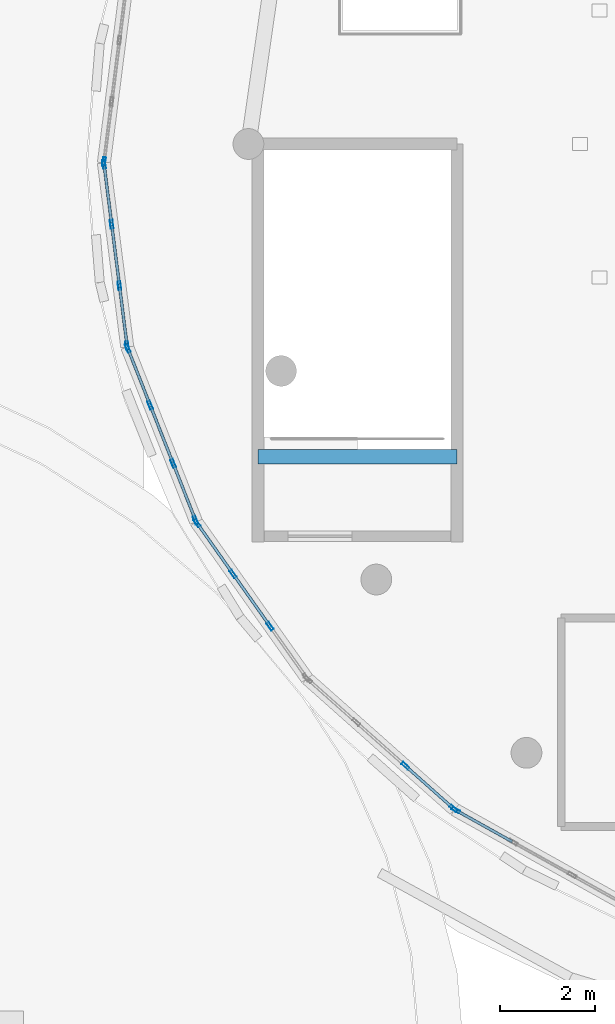
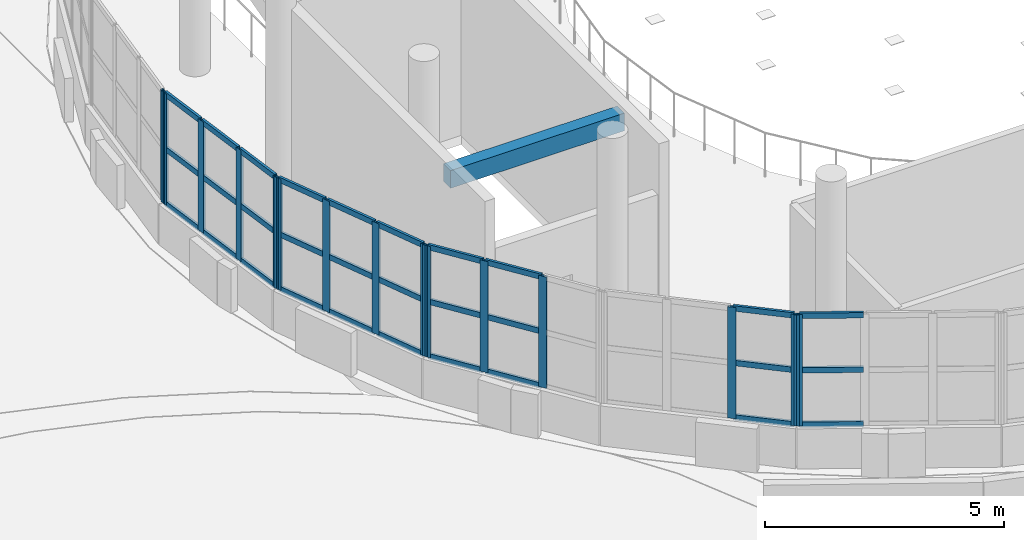
# One storey, part 5 of 105: 45 members, 1 beam, 6 elements without a shape of their own.
"""IFC4 building model written with IfcOpenShell, lengths in metres."""

from ifc_helpers import new_model, si_unit, direction, frame, origin, origin_2d, place, context, subcontext, project, spatial, rectangle, hollow_rectangle, extrude, material, layer, layer_set, material_profile, profile_set, type_object, element, aggregate, save


model = new_model("IFC4")

# Units and contexts
model_context = context("Model", 3, precision=1e-05, world=origin(), true_north=direction((0.0, 1.0)))
body_context = subcontext(model_context, "Body", "Model", "MODEL_VIEW")
ifc_project = project(units=[si_unit("LENGTHUNIT", "METRE"), si_unit("AREAUNIT", "SQUARE_METRE"), si_unit("VOLUMEUNIT", "CUBIC_METRE"), si_unit("PLANEANGLEUNIT", "RADIAN"), si_unit("MASSUNIT", "GRAM", prefix="KILO")], contexts=[model_context])

# Site, building, storey
site_placement = place(None, origin())
site = spatial("IfcSite", under=ifc_project, at=site_placement, CompositionType="ELEMENT")
building_placement = place(site_placement, origin())
building = spatial("IfcBuilding", under=site, at=building_placement, Name="Pelvatis Terrace Science Centre", CompositionType="ELEMENT")
storey_placement = place(building_placement, frame((0.0, 0.0, 10.199951171875)))
storey = spatial("IfcBuildingStorey", under=building, at=storey_placement, Name="L02", CompositionType="ELEMENT", Elevation=10.199951171875)

# Beam
ifc_material_1 = material(Name="Concrete C35/45", Category="concrete")
ifc_material_profile_1 = material_profile(ifc_material_1, rectangle(XDim=0.300048828125, YDim=0.449951171875, at=origin_2d()), Name="RC-BM 300x450")
ifc_profile_set_1 = profile_set([ifc_material_profile_1], Name="Concrete C35/45")
beam_type = type_object("IfcBeamType", Name="BM-RC-300x450", PredefinedType="BEAM", material=ifc_profile_set_1)
beam_placement = place(storey_placement, frame((61.199951171875, 48.0, 4.320068359375), z_axis=(1.0, 0.0, 0.0), x_axis=(0.0, 1.0, 0.0)))
element("IfcBeam", 1, at=beam_placement, inside=storey, type_object=beam_type, Name="Stair ST-05 header beam (L02)", PredefinedType="BEAM", context=body_context, shape_type="SweptSolid", body=[
    extrude(rectangle(XDim=0.300048828125, YDim=0.449951171875, at=origin_2d()), origin(), (0.0, 0.0, 1.0), 4.199951171875),
])

# Curtain wall, member
ifc_material_2 = material(Name="Bronze-anodised aluminium and laminated glass", Category="aluminium")
ifc_layer = layer(ifc_material_2, 0.179931640625)
ifc_layer_set = layer_set([ifc_layer], Name="Bronze-anodised aluminium and laminated glass")
curtain_wall_type = type_object("IfcCurtainWallType", Name="CW-RIBBON-A", PredefinedType="NOTDEFINED", material=ifc_layer_set)
curtain_wall_1_placement = place(storey_placement, origin())
curtain_wall_1 = element("IfcCurtainWall", 2, at=curtain_wall_1_placement, inside=storey, type_object=curtain_wall_type, Name="Ribbon curtain wall CW-086 (L02)", PredefinedType="NOTDEFINED")
ifc_material_3 = material(Name="Bronze-anodised aluminium 6063-T6", Category="aluminium")
ifc_material_profile_2 = material_profile(ifc_material_3, hollow_rectangle(XDim=0.06005859375, YDim=0.179931640625, WallThickness=0.00390625, at=origin_2d()), Name="ALU-MUL 60x180")
ifc_profile_set_2 = profile_set([ifc_material_profile_2], Name="Bronze-anodised aluminium 6063-T6")
member_type_1 = type_object("IfcMemberType", Name="CWM-60x180", PredefinedType="MULLION", material=ifc_profile_set_2)
member_1_placement = place(storey_placement, frame((57.953857421875, 54.229736328125, 1.02001953125), z_axis=(0.0, 0.0, 1.0), x_axis=(0.992045836863, -0.125877152665, 0.0)))
member_1 = element("IfcMember", 3, at=member_1_placement, type_object=member_type_1, Name="CW-086 mullion 4", PredefinedType="MULLION", context=body_context, shape_type="SweptSolid", body=[
    extrude(hollow_rectangle(XDim=0.06005859375, YDim=0.179931640625, WallThickness=0.00390625, at=origin_2d()), origin(), (0.0, 0.0, 1.0), 2.840087890625),
])
aggregate(curtain_wall_1, [member_1])

# Curtain wall, members
curtain_wall_2_placement = place(storey_placement, origin())
curtain_wall_2 = element("IfcCurtainWall", 4, at=curtain_wall_2_placement, inside=storey, type_object=curtain_wall_type, Name="Ribbon curtain wall CW-087 (L02)", PredefinedType="NOTDEFINED")
member_2_placement = place(storey_placement, frame((57.953857421875, 54.170166015625, 1.02001953125), z_axis=(0.0, 0.0, 1.0), x_axis=(0.992045836863, 0.125877152665, 0.0)))
member_2 = element("IfcMember", 5, at=member_2_placement, type_object=member_type_1, Name="CW-087 mullion 1", PredefinedType="MULLION", context=body_context, shape_type="SweptSolid", body=[
    extrude(hollow_rectangle(XDim=0.06005859375, YDim=0.179931640625, WallThickness=0.00390625, at=origin_2d()), origin(), (0.0, 0.0, 1.0), 2.840087890625),
])
member_3_placement = place(storey_placement, frame((58.1142578125, 52.90576171875, 1.02001953125), z_axis=(0.0, 0.0, 1.0), x_axis=(0.992045836863, 0.125877152665, 0.0)))
member_3 = element("IfcMember", 6, at=member_3_placement, type_object=member_type_1, Name="CW-087 mullion 2", PredefinedType="MULLION", context=body_context, shape_type="SweptSolid", body=[
    extrude(hollow_rectangle(XDim=0.06005859375, YDim=0.179931640625, WallThickness=0.00390625, at=origin_2d()), origin(), (0.0, 0.0, 1.0), 2.840087890625),
])
member_4_placement = place(storey_placement, frame((58.278564453125, 51.611328125, 1.02001953125), z_axis=(0.0, 0.0, 1.0), x_axis=(0.992045836863, 0.125877152665, 0.0)))
member_4 = element("IfcMember", 7, at=member_4_placement, type_object=member_type_1, Name="CW-087 mullion 3", PredefinedType="MULLION", context=body_context, shape_type="SweptSolid", body=[
    extrude(hollow_rectangle(XDim=0.06005859375, YDim=0.179931640625, WallThickness=0.00390625, at=origin_2d()), origin(), (0.0, 0.0, 1.0), 2.840087890625),
])
member_5_placement = place(storey_placement, frame((58.43896484375, 50.3466796875, 1.02001953125), z_axis=(0.0, 0.0, 1.0), x_axis=(0.992045836863, 0.125877152665, 0.0)))
member_5 = element("IfcMember", 8, at=member_5_placement, type_object=member_type_1, Name="CW-087 mullion 4", PredefinedType="MULLION", context=body_context, shape_type="SweptSolid", body=[
    extrude(hollow_rectangle(XDim=0.06005859375, YDim=0.179931640625, WallThickness=0.00390625, at=origin_2d()), origin(), (0.0, 0.0, 1.0), 2.840087890625),
])

curtain_wall_3_placement = place(storey_placement, origin())
curtain_wall_3 = element("IfcCurtainWall", 9, at=curtain_wall_3_placement, inside=storey, type_object=curtain_wall_type, Name="Ribbon curtain wall CW-088 (L02)", PredefinedType="NOTDEFINED")
member_6_placement = place(storey_placement, frame((58.45361328125, 50.2890625, 1.02001953125), z_axis=(0.0, 0.0, 1.0), x_axis=(0.930379715899, 0.366597305287, 0.0)))
member_6 = element("IfcMember", 10, at=member_6_placement, type_object=member_type_1, Name="CW-088 mullion 1", PredefinedType="MULLION", context=body_context, shape_type="SweptSolid", body=[
    extrude(hollow_rectangle(XDim=0.06005859375, YDim=0.179931640625, WallThickness=0.00390625, at=origin_2d()), origin(), (0.0, 0.0, 1.0), 2.840087890625),
])
member_7_placement = place(storey_placement, frame((58.92724609375, 49.087646484375, 1.02001953125), z_axis=(0.0, 0.0, 1.0), x_axis=(0.930379715899, 0.366597305287, 0.0)))
member_7 = element("IfcMember", 11, at=member_7_placement, type_object=member_type_1, Name="CW-088 mullion 2", PredefinedType="MULLION", context=body_context, shape_type="SweptSolid", body=[
    extrude(hollow_rectangle(XDim=0.06005859375, YDim=0.179931640625, WallThickness=0.00390625, at=origin_2d()), origin(), (0.0, 0.0, 1.0), 2.840087890625),
])
member_8_placement = place(storey_placement, frame((59.41162109375, 47.858154296875, 1.02001953125), z_axis=(0.0, 0.0, 1.0), x_axis=(0.930379715899, 0.366597305287, 0.0)))
member_8 = element("IfcMember", 12, at=member_8_placement, type_object=member_type_1, Name="CW-088 mullion 3", PredefinedType="MULLION", context=body_context, shape_type="SweptSolid", body=[
    extrude(hollow_rectangle(XDim=0.06005859375, YDim=0.179931640625, WallThickness=0.00390625, at=origin_2d()), origin(), (0.0, 0.0, 1.0), 2.840087890625),
])
member_9_placement = place(storey_placement, frame((59.885009765625, 46.656494140625, 1.02001953125), z_axis=(0.0, 0.0, 1.0), x_axis=(0.930379715899, 0.366597305287, 0.0)))
member_9 = element("IfcMember", 13, at=member_9_placement, type_object=member_type_1, Name="CW-088 mullion 4", PredefinedType="MULLION", context=body_context, shape_type="SweptSolid", body=[
    extrude(hollow_rectangle(XDim=0.06005859375, YDim=0.179931640625, WallThickness=0.00390625, at=origin_2d()), origin(), (0.0, 0.0, 1.0), 2.840087890625),
])

curtain_wall_4_placement = place(storey_placement, origin())
curtain_wall_4 = element("IfcCurtainWall", 14, at=curtain_wall_4_placement, inside=storey, type_object=curtain_wall_type, Name="Ribbon curtain wall CW-089 (L02)", PredefinedType="NOTDEFINED")
member_10_placement = place(storey_placement, frame((59.913330078125, 46.604248046875, 1.02001953125), z_axis=(0.0, 0.0, 1.0), x_axis=(0.8163259778, 0.57759146286, 0.0)))
member_10 = element("IfcMember", 15, at=member_10_placement, type_object=member_type_1, Name="CW-089 mullion 1", PredefinedType="MULLION", context=body_context, shape_type="SweptSolid", body=[
    extrude(hollow_rectangle(XDim=0.06005859375, YDim=0.179931640625, WallThickness=0.00390625, at=origin_2d()), origin(), (0.0, 0.0, 1.0), 2.840087890625),
])
member_11_placement = place(storey_placement, frame((60.67626953125, 45.52587890625, 1.02001953125), z_axis=(0.0, 0.0, 1.0), x_axis=(0.8163259778, 0.57759146286, 0.0)))
member_11 = element("IfcMember", 16, at=member_11_placement, type_object=member_type_1, Name="CW-089 mullion 2", PredefinedType="MULLION", context=body_context, shape_type="SweptSolid", body=[
    extrude(hollow_rectangle(XDim=0.06005859375, YDim=0.179931640625, WallThickness=0.00390625, at=origin_2d()), origin(), (0.0, 0.0, 1.0), 2.840087890625),
])
member_12_placement = place(storey_placement, frame((61.456787109375, 44.4228515625, 1.02001953125), z_axis=(0.0, 0.0, 1.0), x_axis=(0.8163259778, 0.57759146286, 0.0)))
member_12 = element("IfcMember", 17, at=member_12_placement, type_object=member_type_1, Name="CW-089 mullion 3", PredefinedType="MULLION", context=body_context, shape_type="SweptSolid", body=[
    extrude(hollow_rectangle(XDim=0.06005859375, YDim=0.179931640625, WallThickness=0.00390625, at=origin_2d()), origin(), (0.0, 0.0, 1.0), 2.840087890625),
])

curtain_wall_5_placement = place(storey_placement, origin())
curtain_wall_5 = element("IfcCurtainWall", 18, at=curtain_wall_5_placement, inside=storey, type_object=curtain_wall_type, Name="Ribbon curtain wall CW-090 (L02)", PredefinedType="NOTDEFINED")
member_13_placement = place(storey_placement, frame((64.311279296875, 41.47802734375, 1.02001953125), z_axis=(0.0, 0.0, 1.0), x_axis=(0.664016220834, 0.747718167808, 0.0)))
member_13 = element("IfcMember", 19, at=member_13_placement, type_object=member_type_1, Name="CW-090 mullion 3", PredefinedType="MULLION", context=body_context, shape_type="SweptSolid", body=[
    extrude(hollow_rectangle(XDim=0.06005859375, YDim=0.179931640625, WallThickness=0.00390625, at=origin_2d()), origin(), (0.0, 0.0, 1.0), 2.840087890625),
])
member_14_placement = place(storey_placement, frame((65.325927734375, 40.576904296875, 1.02001953125), z_axis=(0.0, 0.0, 1.0), x_axis=(0.664016220834, 0.747718167808, 0.0)))
member_14 = element("IfcMember", 20, at=member_14_placement, type_object=member_type_1, Name="CW-090 mullion 4", PredefinedType="MULLION", context=body_context, shape_type="SweptSolid", body=[
    extrude(hollow_rectangle(XDim=0.06005859375, YDim=0.179931640625, WallThickness=0.00390625, at=origin_2d()), origin(), (0.0, 0.0, 1.0), 2.840087890625),
])

# Curtain wall, member
curtain_wall_6_placement = place(storey_placement, origin())
curtain_wall_6 = element("IfcCurtainWall", 21, at=curtain_wall_6_placement, inside=storey, type_object=curtain_wall_type, Name="Ribbon curtain wall CW-091 (L02)", PredefinedType="NOTDEFINED")
member_15_placement = place(storey_placement, frame((65.37451171875, 40.54248046875, 1.02001953125), z_axis=(0.0, 0.0, 1.0), x_axis=(0.487256020167, 0.87325916589, 0.0)))
member_15 = element("IfcMember", 22, at=member_15_placement, type_object=member_type_1, Name="CW-091 mullion 1", PredefinedType="MULLION", context=body_context, shape_type="SweptSolid", body=[
    extrude(hollow_rectangle(XDim=0.06005859375, YDim=0.179931640625, WallThickness=0.00390625, at=origin_2d()), origin(), (0.0, 0.0, 1.0), 2.840087890625),
])

# Member
ifc_material_4 = material(Name="Bronze-anodised aluminium 6063-T6", Category="aluminium")
ifc_material_profile_3 = material_profile(ifc_material_4, hollow_rectangle(XDim=0.06005859375, YDim=0.139892578125, WallThickness=0.00390625, at=origin_2d()), Name="ALU-TRN 60x140")
ifc_profile_set_3 = profile_set([ifc_material_profile_3], Name="Bronze-anodised aluminium 6063-T6")
member_type_2 = type_object("IfcMemberType", Name="CWT-60x140", PredefinedType="USERDEFINED", material=ifc_profile_set_3)
member_16_placement = place(storey_placement, frame((57.95751953125, 54.140380859375, 1.050048828125), z_axis=(0.125840647036, -0.992050468249, 0.0), x_axis=(0.992050468249, 0.125840647036, 0.0)))
member_16 = element("IfcMember", 23, at=member_16_placement, type_object=member_type_2, Name="CW-087 transom 1.1", ObjectType="TRANSOM", PredefinedType="USERDEFINED", context=body_context, shape_type="SweptSolid", body=[
    extrude(hollow_rectangle(XDim=0.06005859375, YDim=0.139892578125, WallThickness=0.00390625, at=origin_2d()), origin(), (0.0, 0.0, 1.0), 1.214599609375),
])

member_17_placement = place(storey_placement, frame((57.95751953125, 54.140380859375, 2.43994140625), z_axis=(0.125840647036, -0.992050468249, 0.0), x_axis=(0.992050468249, 0.125840647036, 0.0)))
member_17 = element("IfcMember", 24, at=member_17_placement, type_object=member_type_2, Name="CW-087 transom 1.2", ObjectType="TRANSOM", PredefinedType="USERDEFINED", context=body_context, shape_type="SweptSolid", body=[
    extrude(hollow_rectangle(XDim=0.06005859375, YDim=0.139892578125, WallThickness=0.00390625, at=origin_2d()), origin(), (0.0, 0.0, 1.0), 1.214599609375),
])

member_18_placement = place(storey_placement, frame((57.95751953125, 54.140380859375, 3.830078125), z_axis=(0.125840647036, -0.992050468249, 0.0), x_axis=(0.992050468249, 0.125840647036, 0.0)))
member_18 = element("IfcMember", 25, at=member_18_placement, type_object=member_type_2, Name="CW-087 transom 1.3", ObjectType="TRANSOM", PredefinedType="USERDEFINED", context=body_context, shape_type="SweptSolid", body=[
    extrude(hollow_rectangle(XDim=0.06005859375, YDim=0.139892578125, WallThickness=0.00390625, at=origin_2d()), origin(), (0.0, 0.0, 1.0), 1.214599609375),
])

member_19_placement = place(storey_placement, frame((58.117919921875, 52.8759765625, 1.050048828125), z_axis=(0.12591738812, -0.992040730701, 0.0), x_axis=(0.992040730701, 0.12591738812, 0.0)))
member_19 = element("IfcMember", 26, at=member_19_placement, type_object=member_type_2, Name="CW-087 transom 2.1", ObjectType="TRANSOM", PredefinedType="USERDEFINED", context=body_context, shape_type="SweptSolid", body=[
    extrude(hollow_rectangle(XDim=0.06005859375, YDim=0.139892578125, WallThickness=0.00390625, at=origin_2d()), origin(), (0.0, 0.0, 1.0), 1.244873046875),
])

member_20_placement = place(storey_placement, frame((58.117919921875, 52.8759765625, 2.43994140625), z_axis=(0.12591738812, -0.992040730701, 0.0), x_axis=(0.992040730701, 0.12591738812, 0.0)))
member_20 = element("IfcMember", 27, at=member_20_placement, type_object=member_type_2, Name="CW-087 transom 2.2", ObjectType="TRANSOM", PredefinedType="USERDEFINED", context=body_context, shape_type="SweptSolid", body=[
    extrude(hollow_rectangle(XDim=0.06005859375, YDim=0.139892578125, WallThickness=0.00390625, at=origin_2d()), origin(), (0.0, 0.0, 1.0), 1.244873046875),
])

member_21_placement = place(storey_placement, frame((58.117919921875, 52.8759765625, 3.830078125), z_axis=(0.12591738812, -0.992040730701, 0.0), x_axis=(0.992040730701, 0.12591738812, 0.0)))
member_21 = element("IfcMember", 28, at=member_21_placement, type_object=member_type_2, Name="CW-087 transom 2.3", ObjectType="TRANSOM", PredefinedType="USERDEFINED", context=body_context, shape_type="SweptSolid", body=[
    extrude(hollow_rectangle(XDim=0.06005859375, YDim=0.139892578125, WallThickness=0.00390625, at=origin_2d()), origin(), (0.0, 0.0, 1.0), 1.244873046875),
])

member_22_placement = place(storey_placement, frame((58.2822265625, 51.58154296875, 1.050048828125), z_axis=(0.125815556184, -0.992053650677, 0.0), x_axis=(0.992053650677, 0.125815556184, 0.0)))
member_22 = element("IfcMember", 29, at=member_22_placement, type_object=member_type_2, Name="CW-087 transom 3.1", ObjectType="TRANSOM", PredefinedType="USERDEFINED", context=body_context, shape_type="SweptSolid", body=[
    extrude(hollow_rectangle(XDim=0.06005859375, YDim=0.139892578125, WallThickness=0.00390625, at=origin_2d()), origin(), (0.0, 0.0, 1.0), 1.21484375),
])

member_23_placement = place(storey_placement, frame((58.2822265625, 51.58154296875, 2.43994140625), z_axis=(0.125815556184, -0.992053650677, 0.0), x_axis=(0.992053650677, 0.125815556184, 0.0)))
member_23 = element("IfcMember", 30, at=member_23_placement, type_object=member_type_2, Name="CW-087 transom 3.2", ObjectType="TRANSOM", PredefinedType="USERDEFINED", context=body_context, shape_type="SweptSolid", body=[
    extrude(hollow_rectangle(XDim=0.06005859375, YDim=0.139892578125, WallThickness=0.00390625, at=origin_2d()), origin(), (0.0, 0.0, 1.0), 1.21484375),
])

member_24_placement = place(storey_placement, frame((58.2822265625, 51.58154296875, 3.830078125), z_axis=(0.125815556184, -0.992053650677, 0.0), x_axis=(0.992053650677, 0.125815556184, 0.0)))
member_24 = element("IfcMember", 31, at=member_24_placement, type_object=member_type_2, Name="CW-087 transom 3.3", ObjectType="TRANSOM", PredefinedType="USERDEFINED", context=body_context, shape_type="SweptSolid", body=[
    extrude(hollow_rectangle(XDim=0.06005859375, YDim=0.139892578125, WallThickness=0.00390625, at=origin_2d()), origin(), (0.0, 0.0, 1.0), 1.21484375),
])

aggregate(curtain_wall_2, [member_2, member_3, member_4, member_5, member_16, member_17, member_18, member_19, member_20, member_21, member_22, member_23, member_24])

member_25_placement = place(storey_placement, frame((58.464599609375, 50.26123046875, 1.050048828125), z_axis=(0.366566122362, -0.930392002296, 0.0), x_axis=(0.930392002296, 0.366566122362, 0.0)))
member_25 = element("IfcMember", 32, at=member_25_placement, type_object=member_type_2, Name="CW-088 transom 1.1", ObjectType="TRANSOM", PredefinedType="USERDEFINED", context=body_context, shape_type="SweptSolid", body=[
    extrude(hollow_rectangle(XDim=0.06005859375, YDim=0.139892578125, WallThickness=0.00390625, at=origin_2d()), origin(), (0.0, 0.0, 1.0), 1.2314453125),
])

member_26_placement = place(storey_placement, frame((58.464599609375, 50.26123046875, 2.43994140625), z_axis=(0.366566122362, -0.930392002296, 0.0), x_axis=(0.930392002296, 0.366566122362, 0.0)))
member_26 = element("IfcMember", 33, at=member_26_placement, type_object=member_type_2, Name="CW-088 transom 1.2", ObjectType="TRANSOM", PredefinedType="USERDEFINED", context=body_context, shape_type="SweptSolid", body=[
    extrude(hollow_rectangle(XDim=0.06005859375, YDim=0.139892578125, WallThickness=0.00390625, at=origin_2d()), origin(), (0.0, 0.0, 1.0), 1.2314453125),
])

member_27_placement = place(storey_placement, frame((58.464599609375, 50.26123046875, 3.830078125), z_axis=(0.366566122362, -0.930392002296, 0.0), x_axis=(0.930392002296, 0.366566122362, 0.0)))
member_27 = element("IfcMember", 34, at=member_27_placement, type_object=member_type_2, Name="CW-088 transom 1.3", ObjectType="TRANSOM", PredefinedType="USERDEFINED", context=body_context, shape_type="SweptSolid", body=[
    extrude(hollow_rectangle(XDim=0.06005859375, YDim=0.139892578125, WallThickness=0.00390625, at=origin_2d()), origin(), (0.0, 0.0, 1.0), 1.2314453125),
])

member_28_placement = place(storey_placement, frame((58.938232421875, 49.0595703125, 1.050048828125), z_axis=(0.366580366698, -0.930386390029, 0.0), x_axis=(0.930386390029, 0.366580366698, 0.0)))
member_28 = element("IfcMember", 35, at=member_28_placement, type_object=member_type_2, Name="CW-088 transom 2.1", ObjectType="TRANSOM", PredefinedType="USERDEFINED", context=body_context, shape_type="SweptSolid", body=[
    extrude(hollow_rectangle(XDim=0.06005859375, YDim=0.139892578125, WallThickness=0.00390625, at=origin_2d()), origin(), (0.0, 0.0, 1.0), 1.261474609375),
])

member_29_placement = place(storey_placement, frame((58.938232421875, 49.0595703125, 2.43994140625), z_axis=(0.366580366698, -0.930386390029, 0.0), x_axis=(0.930386390029, 0.366580366698, 0.0)))
member_29 = element("IfcMember", 36, at=member_29_placement, type_object=member_type_2, Name="CW-088 transom 2.2", ObjectType="TRANSOM", PredefinedType="USERDEFINED", context=body_context, shape_type="SweptSolid", body=[
    extrude(hollow_rectangle(XDim=0.06005859375, YDim=0.139892578125, WallThickness=0.00390625, at=origin_2d()), origin(), (0.0, 0.0, 1.0), 1.261474609375),
])

member_30_placement = place(storey_placement, frame((58.938232421875, 49.0595703125, 3.830078125), z_axis=(0.366580366698, -0.930386390029, 0.0), x_axis=(0.930386390029, 0.366580366698, 0.0)))
member_30 = element("IfcMember", 37, at=member_30_placement, type_object=member_type_2, Name="CW-088 transom 2.3", ObjectType="TRANSOM", PredefinedType="USERDEFINED", context=body_context, shape_type="SweptSolid", body=[
    extrude(hollow_rectangle(XDim=0.06005859375, YDim=0.139892578125, WallThickness=0.00390625, at=origin_2d()), origin(), (0.0, 0.0, 1.0), 1.261474609375),
])

member_31_placement = place(storey_placement, frame((59.422607421875, 47.830322265625, 1.050048828125), z_axis=(0.366566122362, -0.930392002296, 0.0), x_axis=(0.930392002296, 0.366566122362, 0.0)))
member_31 = element("IfcMember", 38, at=member_31_placement, type_object=member_type_2, Name="CW-088 transom 3.1", ObjectType="TRANSOM", PredefinedType="USERDEFINED", context=body_context, shape_type="SweptSolid", body=[
    extrude(hollow_rectangle(XDim=0.06005859375, YDim=0.139892578125, WallThickness=0.00390625, at=origin_2d()), origin(), (0.0, 0.0, 1.0), 1.2314453125),
])

member_32_placement = place(storey_placement, frame((59.422607421875, 47.830322265625, 2.43994140625), z_axis=(0.366566122362, -0.930392002296, 0.0), x_axis=(0.930392002296, 0.366566122362, 0.0)))
member_32 = element("IfcMember", 39, at=member_32_placement, type_object=member_type_2, Name="CW-088 transom 3.2", ObjectType="TRANSOM", PredefinedType="USERDEFINED", context=body_context, shape_type="SweptSolid", body=[
    extrude(hollow_rectangle(XDim=0.06005859375, YDim=0.139892578125, WallThickness=0.00390625, at=origin_2d()), origin(), (0.0, 0.0, 1.0), 1.2314453125),
])

member_33_placement = place(storey_placement, frame((59.422607421875, 47.830322265625, 3.830078125), z_axis=(0.366566122362, -0.930392002296, 0.0), x_axis=(0.930392002296, 0.366566122362, 0.0)))
member_33 = element("IfcMember", 40, at=member_33_placement, type_object=member_type_2, Name="CW-088 transom 3.3", ObjectType="TRANSOM", PredefinedType="USERDEFINED", context=body_context, shape_type="SweptSolid", body=[
    extrude(hollow_rectangle(XDim=0.06005859375, YDim=0.139892578125, WallThickness=0.00390625, at=origin_2d()), origin(), (0.0, 0.0, 1.0), 1.2314453125),
])

aggregate(curtain_wall_3, [member_6, member_7, member_8, member_9, member_25, member_26, member_27, member_28, member_29, member_30, member_31, member_32, member_33])

member_34_placement = place(storey_placement, frame((59.9306640625, 46.579833984375, 1.050048828125), z_axis=(0.577496192944, -0.816393377689, 0.0), x_axis=(0.816393377689, 0.577496192944, 0.0)))
member_34 = element("IfcMember", 41, at=member_34_placement, type_object=member_type_2, Name="CW-089 transom 1.1", ObjectType="TRANSOM", PredefinedType="USERDEFINED", context=body_context, shape_type="SweptSolid", body=[
    extrude(hollow_rectangle(XDim=0.06005859375, YDim=0.139892578125, WallThickness=0.00390625, at=origin_2d()), origin(), (0.0, 0.0, 1.0), 1.260986328125),
])

member_35_placement = place(storey_placement, frame((59.9306640625, 46.579833984375, 2.43994140625), z_axis=(0.577496192944, -0.816393377689, 0.0), x_axis=(0.816393377689, 0.577496192944, 0.0)))
member_35 = element("IfcMember", 42, at=member_35_placement, type_object=member_type_2, Name="CW-089 transom 1.2", ObjectType="TRANSOM", PredefinedType="USERDEFINED", context=body_context, shape_type="SweptSolid", body=[
    extrude(hollow_rectangle(XDim=0.06005859375, YDim=0.139892578125, WallThickness=0.00390625, at=origin_2d()), origin(), (0.0, 0.0, 1.0), 1.260986328125),
])

member_36_placement = place(storey_placement, frame((59.9306640625, 46.579833984375, 3.830078125), z_axis=(0.577496192944, -0.816393377689, 0.0), x_axis=(0.816393377689, 0.577496192944, 0.0)))
member_36 = element("IfcMember", 43, at=member_36_placement, type_object=member_type_2, Name="CW-089 transom 1.3", ObjectType="TRANSOM", PredefinedType="USERDEFINED", context=body_context, shape_type="SweptSolid", body=[
    extrude(hollow_rectangle(XDim=0.06005859375, YDim=0.139892578125, WallThickness=0.00390625, at=origin_2d()), origin(), (0.0, 0.0, 1.0), 1.260986328125),
])

member_37_placement = place(storey_placement, frame((60.693603515625, 45.50146484375, 1.050048828125), z_axis=(0.57765528958, -0.816280813459, 0.0), x_axis=(0.816280813459, 0.57765528958, 0.0)))
member_37 = element("IfcMember", 44, at=member_37_placement, type_object=member_type_2, Name="CW-089 transom 2.1", ObjectType="TRANSOM", PredefinedType="USERDEFINED", context=body_context, shape_type="SweptSolid", body=[
    extrude(hollow_rectangle(XDim=0.06005859375, YDim=0.139892578125, WallThickness=0.00390625, at=origin_2d()), origin(), (0.0, 0.0, 1.0), 1.291259765625),
])

member_38_placement = place(storey_placement, frame((60.693603515625, 45.50146484375, 2.43994140625), z_axis=(0.57765528958, -0.816280813459, 0.0), x_axis=(0.816280813459, 0.57765528958, 0.0)))
member_38 = element("IfcMember", 45, at=member_38_placement, type_object=member_type_2, Name="CW-089 transom 2.2", ObjectType="TRANSOM", PredefinedType="USERDEFINED", context=body_context, shape_type="SweptSolid", body=[
    extrude(hollow_rectangle(XDim=0.06005859375, YDim=0.139892578125, WallThickness=0.00390625, at=origin_2d()), origin(), (0.0, 0.0, 1.0), 1.291259765625),
])

member_39_placement = place(storey_placement, frame((60.693603515625, 45.50146484375, 3.830078125), z_axis=(0.57765528958, -0.816280813459, 0.0), x_axis=(0.816280813459, 0.57765528958, 0.0)))
member_39 = element("IfcMember", 46, at=member_39_placement, type_object=member_type_2, Name="CW-089 transom 2.3", ObjectType="TRANSOM", PredefinedType="USERDEFINED", context=body_context, shape_type="SweptSolid", body=[
    extrude(hollow_rectangle(XDim=0.06005859375, YDim=0.139892578125, WallThickness=0.00390625, at=origin_2d()), origin(), (0.0, 0.0, 1.0), 1.291259765625),
])

aggregate(curtain_wall_4, [member_10, member_11, member_12, member_34, member_35, member_36, member_37, member_38, member_39])

member_40_placement = place(storey_placement, frame((64.333740234375, 41.4580078125, 1.050048828125), z_axis=(0.747751974574, -0.663978150635, 0.0), x_axis=(0.663978150635, 0.747751974574, 0.0)))
member_40 = element("IfcMember", 47, at=member_40_placement, type_object=member_type_2, Name="CW-090 transom 3.1", ObjectType="TRANSOM", PredefinedType="USERDEFINED", context=body_context, shape_type="SweptSolid", body=[
    extrude(hollow_rectangle(XDim=0.06005859375, YDim=0.139892578125, WallThickness=0.00390625, at=origin_2d()), origin(), (0.0, 0.0, 1.0), 1.296875),
])

member_41_placement = place(storey_placement, frame((64.333740234375, 41.4580078125, 2.43994140625), z_axis=(0.747751974574, -0.663978150635, 0.0), x_axis=(0.663978150635, 0.747751974574, 0.0)))
member_41 = element("IfcMember", 48, at=member_41_placement, type_object=member_type_2, Name="CW-090 transom 3.2", ObjectType="TRANSOM", PredefinedType="USERDEFINED", context=body_context, shape_type="SweptSolid", body=[
    extrude(hollow_rectangle(XDim=0.06005859375, YDim=0.139892578125, WallThickness=0.00390625, at=origin_2d()), origin(), (0.0, 0.0, 1.0), 1.296875),
])

member_42_placement = place(storey_placement, frame((64.333740234375, 41.4580078125, 3.830078125), z_axis=(0.747751974574, -0.663978150635, 0.0), x_axis=(0.663978150635, 0.747751974574, 0.0)))
member_42 = element("IfcMember", 49, at=member_42_placement, type_object=member_type_2, Name="CW-090 transom 3.3", ObjectType="TRANSOM", PredefinedType="USERDEFINED", context=body_context, shape_type="SweptSolid", body=[
    extrude(hollow_rectangle(XDim=0.06005859375, YDim=0.139892578125, WallThickness=0.00390625, at=origin_2d()), origin(), (0.0, 0.0, 1.0), 1.296875),
])

aggregate(curtain_wall_5, [member_13, member_14, member_40, member_41, member_42])

member_43_placement = place(storey_placement, frame((65.40087890625, 40.52783203125, 1.050048828125), z_axis=(0.873239414346, -0.487291417155, 0.0), x_axis=(0.487291417155, 0.873239414346, 0.0)))
member_43 = element("IfcMember", 50, at=member_43_placement, type_object=member_type_2, Name="CW-091 transom 1.1", ObjectType="TRANSOM", PredefinedType="USERDEFINED", context=body_context, shape_type="SweptSolid", body=[
    extrude(hollow_rectangle(XDim=0.06005859375, YDim=0.139892578125, WallThickness=0.00390625, at=origin_2d()), origin(), (0.0, 0.0, 1.0), 1.332275390625),
])

member_44_placement = place(storey_placement, frame((65.40087890625, 40.52783203125, 2.43994140625), z_axis=(0.873239414346, -0.487291417155, 0.0), x_axis=(0.487291417155, 0.873239414346, 0.0)))
member_44 = element("IfcMember", 51, at=member_44_placement, type_object=member_type_2, Name="CW-091 transom 1.2", ObjectType="TRANSOM", PredefinedType="USERDEFINED", context=body_context, shape_type="SweptSolid", body=[
    extrude(hollow_rectangle(XDim=0.06005859375, YDim=0.139892578125, WallThickness=0.00390625, at=origin_2d()), origin(), (0.0, 0.0, 1.0), 1.332275390625),
])

member_45_placement = place(storey_placement, frame((65.40087890625, 40.52783203125, 3.830078125), z_axis=(0.873239414346, -0.487291417155, 0.0), x_axis=(0.487291417155, 0.873239414346, 0.0)))
member_45 = element("IfcMember", 52, at=member_45_placement, type_object=member_type_2, Name="CW-091 transom 1.3", ObjectType="TRANSOM", PredefinedType="USERDEFINED", context=body_context, shape_type="SweptSolid", body=[
    extrude(hollow_rectangle(XDim=0.06005859375, YDim=0.139892578125, WallThickness=0.00390625, at=origin_2d()), origin(), (0.0, 0.0, 1.0), 1.332275390625),
])

aggregate(curtain_wall_6, [member_15, member_43, member_44, member_45])

save(model, "model.ifc")
